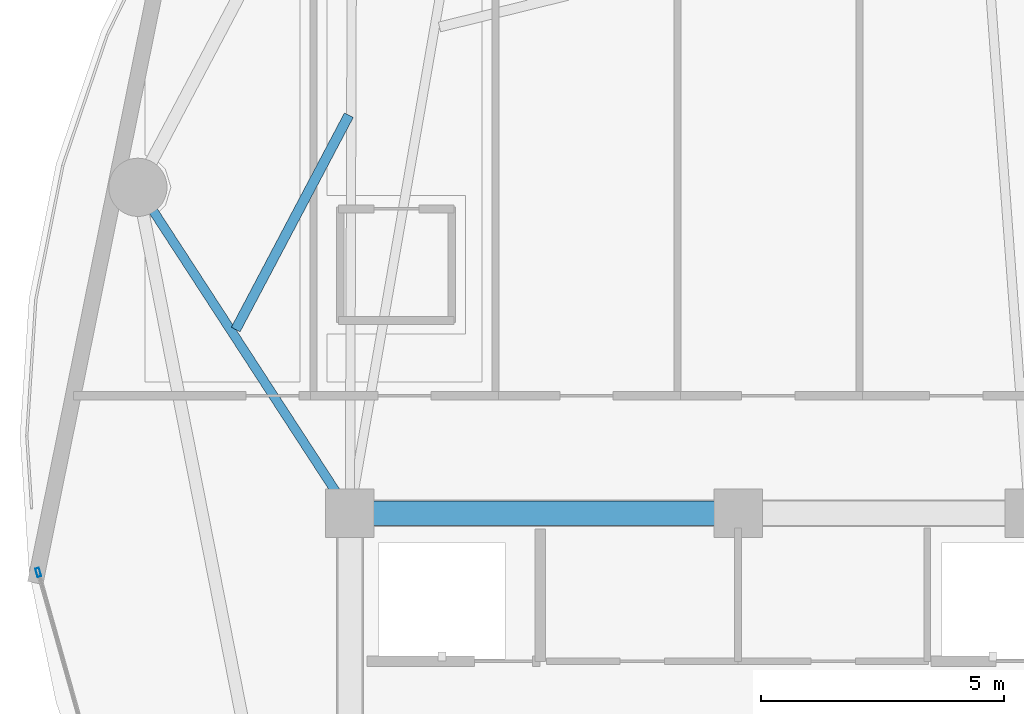
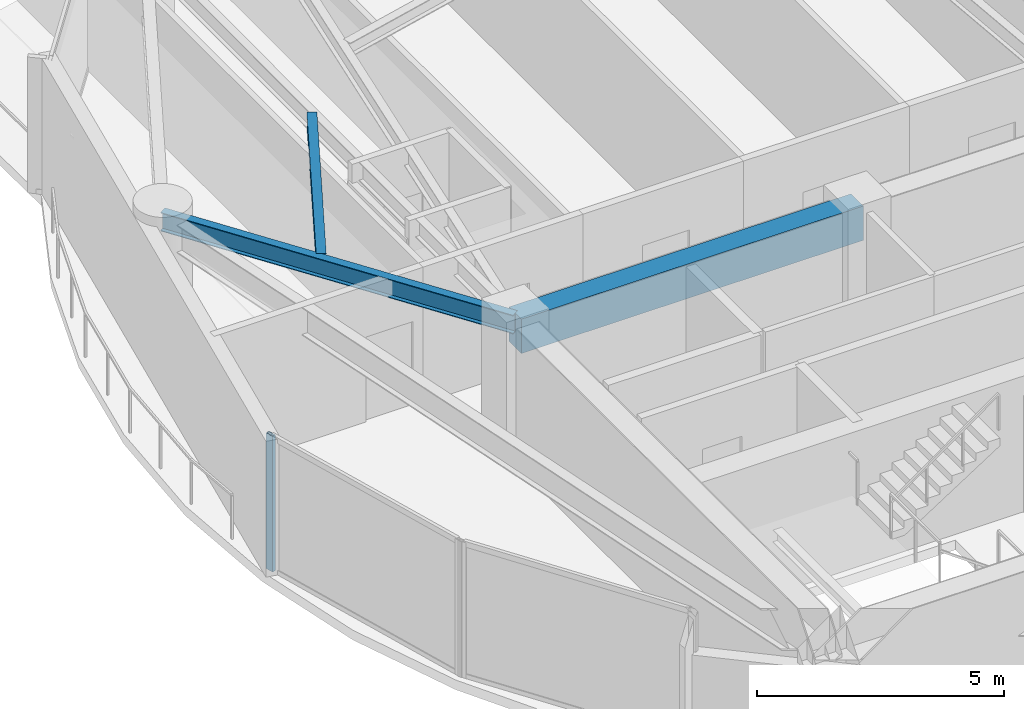
# One storey, part 7 of 28: 3 beams, 1 member, 1 element without a shape of its own.
"""IFC4 building model written with IfcOpenShell, lengths in metres."""

from ifc_helpers import new_model, si_unit, direction, frame, origin, origin_2d, place, context, subcontext, project, spatial, rectangle, hollow_rectangle, i_section, extrude, material, layer, layer_set, material_profile, profile_set, type_object, element, aggregate, save


model = new_model("IFC4")

# Units and contexts
model_context = context("Model", 3, precision=1e-05, world=origin(), true_north=direction((0.0, 1.0)))
body_context = subcontext(model_context, "Body", "Model", "MODEL_VIEW")
ifc_project = project(units=[si_unit("LENGTHUNIT", "METRE"), si_unit("AREAUNIT", "SQUARE_METRE"), si_unit("VOLUMEUNIT", "CUBIC_METRE"), si_unit("PLANEANGLEUNIT", "RADIAN"), si_unit("MASSUNIT", "GRAM", prefix="KILO")], contexts=[model_context])

# Site, building, storey
site_placement = place(None, origin())
site = spatial("IfcSite", under=ifc_project, at=site_placement, CompositionType="ELEMENT")
building_placement = place(site_placement, origin())
building = spatial("IfcBuilding", under=site, at=building_placement, Name="Kazevale Care Tower and Concert Hall", CompositionType="ELEMENT")
storey_placement = place(building_placement, frame((0.0, 0.0, 120.60009765625)))
storey = spatial("IfcBuildingStorey", under=building, at=storey_placement, Name="L31", CompositionType="ELEMENT", Elevation=120.60009765625)

# Curtain wall, member
ifc_material_1 = material(Name="Aluminium 6063-T6 and Low-E Glass", Category="aluminium")
ifc_layer = layer(ifc_material_1, 0.179931640625)
ifc_layer_set = layer_set([ifc_layer], Name="Aluminium 6063-T6 and Low-E Glass")
curtain_wall_type = type_object("IfcCurtainWallType", Name="Waist & Upper Residential Curtain Wall CW-4", PredefinedType="NOTDEFINED", material=ifc_layer_set)
curtain_wall_placement = place(storey_placement, origin())
curtain_wall = element("IfcCurtainWall", 1, at=curtain_wall_placement, inside=storey, type_object=curtain_wall_type, Name="cw:L31:f12", PredefinedType="NOTDEFINED")
ifc_material_2 = material(Name="Aluminium 6063-T6", Category="aluminium")
ifc_material_profile_1 = material_profile(ifc_material_2, hollow_rectangle(XDim=0.080078125, YDim=0.179931640625, WallThickness=0.0048828125, at=origin_2d()), Name="ALU80x180x5")
ifc_profile_set_1 = profile_set([ifc_material_profile_1], Name="Aluminium 6063-T6")
member_type = type_object("IfcMemberType", Name="CW-4 Mullion ALU80x180x5", PredefinedType="MULLION", material=ifc_profile_set_1)
member_placement = place(storey_placement, frame((15.576904296875, 35.18359375, 0.0), z_axis=(0.0, 0.0, 1.0), x_axis=(-0.962499078876, -0.271284948278, 0.0)))
member = element("IfcMember", 2, at=member_placement, type_object=member_type, Name="CW-4 mullion 2", PredefinedType="MULLION", context=body_context, shape_type="SweptSolid", body=[
    extrude(hollow_rectangle(XDim=0.080078125, YDim=0.179931640625, WallThickness=0.0048828125, at=origin_2d()), origin(), (0.0, 0.0, 1.0), 3.35986328125),
])
aggregate(curtain_wall, [member])

# Beams
ifc_material_3 = material(Name="Concrete C60", Category="concrete")
ifc_material_profile_2 = material_profile(ifc_material_3, rectangle(XDim=0.5, YDim=0.85009765625, at=origin_2d()), Name="RC-B500x850")
ifc_profile_set_2 = profile_set([ifc_material_profile_2], Name="Concrete C60")
beam_type_1 = type_object("IfcBeamType", Name="Core Coupling Beam RC500x850", PredefinedType="LINTEL", material=ifc_profile_set_2)
beam_1_placement = place(storey_placement, frame((30.0, 36.39990234375, 2.934814453125), z_axis=(-1.0, 0.0, 0.0), x_axis=(0.0, -1.0, 0.0)))
element("IfcBeam", 3, at=beam_1_placement, inside=storey, type_object=beam_type_1, Name="beam:L31:coretie:7", PredefinedType="LINTEL", context=body_context, shape_type="SweptSolid", body=[
    extrude(rectangle(XDim=0.5, YDim=0.85009765625, at=origin_2d()), origin(), (0.0, 0.0, 1.0), 8.0),
])
ifc_material_4 = material(Name="Steel ASTM A572 Gr 50", Category="steel")
ifc_material_profile_3 = material_profile(ifc_material_4, i_section(OverallWidth=0.19091796875, OverallDepth=0.4599609375, WebThickness=0.010009765625, FlangeThickness=0.01611328125, at=origin_2d()), Name="W460x82")
ifc_profile_set_3 = profile_set([ifc_material_profile_3], Name="Steel ASTM A572 Gr 50")
beam_type_2 = type_object("IfcBeamType", Name="Radial Floor Beam W460x82", PredefinedType="BEAM", material=ifc_profile_set_3)
beam_2_placement = place(storey_placement, frame((22.0, 36.39990234375, 3.1298828125), z_axis=(-0.5451617613, 0.83833087383, 0.0), x_axis=(-0.83833087383, -0.5451617613, 0.0)))
element("IfcBeam", 4, at=beam_2_placement, inside=storey, type_object=beam_type_2, Name="beam:L31:rad:09", PredefinedType="BEAM", context=body_context, shape_type="SweptSolid", body=[
    extrude(i_section(OverallWidth=0.19091796875, OverallDepth=0.4599609375, WebThickness=0.010009765625, FlangeThickness=0.01611328125, at=origin_2d()), origin(), (0.0, 0.0, 1.0), 8.01611328125),
])
ifc_material_profile_4 = material_profile(ifc_material_4, i_section(OverallWidth=0.205078125, OverallDepth=0.35400390625, WebThickness=0.009521484375, FlangeThickness=0.016845703125, at=origin_2d()), Name="W360x79")
ifc_profile_set_4 = profile_set([ifc_material_profile_4], Name="Steel ASTM A572 Gr 50")
beam_type_3 = type_object("IfcBeamType", Name="Secondary Floor Joist W360x79", PredefinedType="JOIST", material=ifc_profile_set_4)
beam_3_placement = place(storey_placement, frame((21.97802734375, 44.60693359375, 3.182861328125), z_axis=(-0.466809583155, -0.884357853515, 0.0), x_axis=(0.884357853515, -0.466809583155, 0.0)))
element("IfcBeam", 5, at=beam_3_placement, inside=storey, type_object=beam_type_3, Name="beam:L31:joist:08", PredefinedType="JOIST", context=body_context, shape_type="SweptSolid", body=[
    extrude(i_section(OverallWidth=0.205078125, OverallDepth=0.35400390625, WebThickness=0.009521484375, FlangeThickness=0.016845703125, at=origin_2d()), origin(), (0.0, 0.0, 1.0), 4.99560546875),
])

save(model, "model.ifc")
